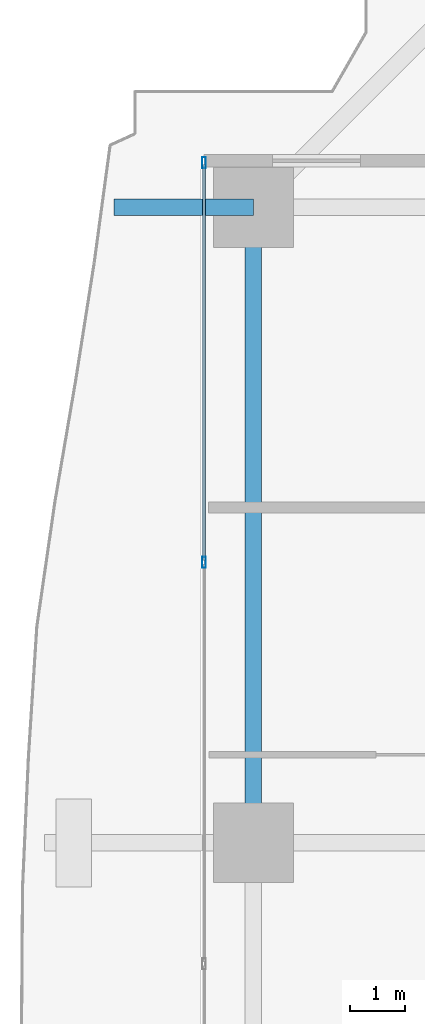
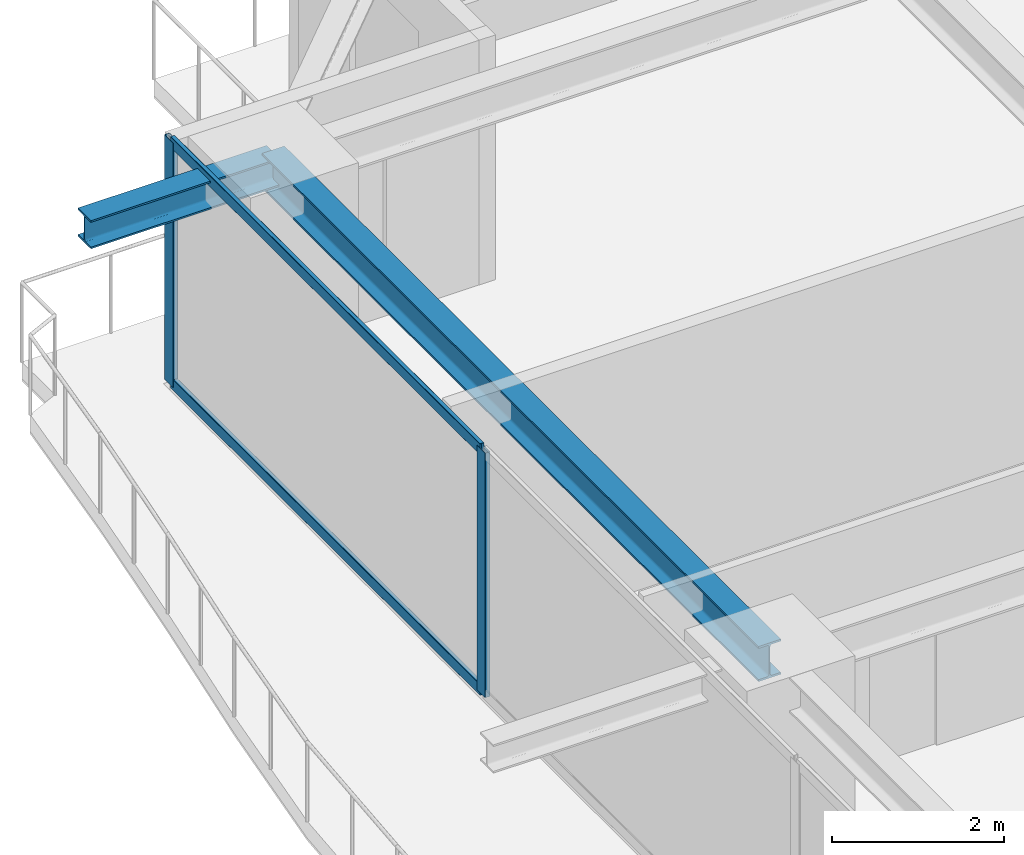
# One storey, part 15 of 36: 4 members, 2 beams, 1 element without a shape of its own.
"""IFC4 building model written with IfcOpenShell, lengths in metres."""

from ifc_helpers import new_model, si_unit, direction, frame, origin, origin_2d, place, context, subcontext, project, spatial, hollow_rectangle, i_section, extrude, source, transform, mapped, material, layer, layer_set, material_profile, profile_set, type_object, element, aggregate, save


model = new_model("IFC4")

# Units and contexts
model_context = context("Model", 3, precision=1e-05, world=origin(), true_north=direction((0.0, 1.0)))
body_context = subcontext(model_context, "Body", "Model", "MODEL_VIEW")
ifc_project = project(units=[si_unit("LENGTHUNIT", "METRE"), si_unit("AREAUNIT", "SQUARE_METRE"), si_unit("VOLUMEUNIT", "CUBIC_METRE"), si_unit("PLANEANGLEUNIT", "RADIAN"), si_unit("MASSUNIT", "GRAM", prefix="KILO")], contexts=[model_context])

# Site, building, storey
site_placement = place(None, origin())
site = spatial("IfcSite", under=ifc_project, at=site_placement, CompositionType="ELEMENT")
building_placement = place(site_placement, origin())
building = spatial("IfcBuilding", under=site, at=building_placement, Name="Serunith Strait Residences", CompositionType="ELEMENT")
storey_placement = place(building_placement, frame((0.0, 0.0, 86.699951171875)))
storey = spatial("IfcBuildingStorey", under=building, at=storey_placement, Name="L21", CompositionType="ELEMENT", Elevation=86.699951171875)

# Beams
ifc_material_1 = material(Name="Steel S355J2", Category="steel")
ifc_material_profile_1 = material_profile(ifc_material_1, i_section(OverallWidth=0.300048828125, OverallDepth=0.5, WebThickness=0.014404296875, FlangeThickness=0.028076171875, FilletRadius=0.027099609375, at=origin_2d()), Name="HEB 500")
ifc_profile_set_1 = profile_set([ifc_material_profile_1], Name="Steel S355J2")
beam_type_1 = type_object("IfcBeamType", Name="BM-HEB500", PredefinedType="BEAM", material=ifc_profile_set_1)
shared_shape_1 = source(origin(), body_context, "Body", "SweptSolid", [
    extrude(i_section(OverallWidth=0.300048828125, OverallDepth=0.5, WebThickness=0.014404296875, FlangeThickness=0.028076171875, FilletRadius=0.027099609375, at=origin_2d()), origin(), (0.0, 0.0, 1.0), 11.550048828125),
])
beam_1_placement = place(storey_placement, frame((6.89990234375, 40.949951171875, 3.237060546875), z_axis=(0.0, -1.0, 0.0), x_axis=(1.0, 0.0, 0.0)))
element("IfcBeam", 1, at=beam_1_placement, inside=storey, type_object=beam_type_1, Name="L21 Perimeter Ring Beam 13", PredefinedType="BEAM", context=body_context, shape_type="MappedRepresentation", body=[
    mapped(shared_shape_1, transform((0.0, 0.0, 0.0), scale=1.0)),
])
ifc_material_profile_2 = material_profile(ifc_material_1, i_section(OverallWidth=0.300048828125, OverallDepth=0.39990234375, WebThickness=0.013427734375, FlangeThickness=0.02392578125, FilletRadius=0.027099609375, at=origin_2d()), Name="HEB 400")
ifc_profile_set_2 = profile_set([ifc_material_profile_2], Name="Steel S355J2")
beam_type_2 = type_object("IfcBeamType", Name="BM-HEB400", PredefinedType="BEAM", material=ifc_profile_set_2)
shared_shape_2 = source(origin(), body_context, "Body", "SweptSolid", [
    extrude(i_section(OverallWidth=0.300048828125, OverallDepth=0.39990234375, WebThickness=0.013427734375, FlangeThickness=0.02392578125, FilletRadius=0.027099609375, at=origin_2d()), origin(), (0.0, 0.0, 1.0), 2.53662109375),
])
beam_2_placement = place(storey_placement, frame((6.89990234375, 40.949951171875, 3.257080078125), z_axis=(-1.0, 0.0, 0.0), x_axis=(0.0, -1.0, 0.0)))
element("IfcBeam", 2, at=beam_2_placement, inside=storey, type_object=beam_type_2, Name="L22 Cantilevered Balcony Rib TC-W4", PredefinedType="BEAM", context=body_context, shape_type="MappedRepresentation", body=[
    mapped(shared_shape_2, transform((0.0, 0.0, 0.0), scale=1.0)),
])

# Curtain wall, members
ifc_material_2 = material(Name="Pale-Champagne Anodised Aluminium", Category="aluminium")
ifc_layer = layer(ifc_material_2, 0.199951171875, Name="Pale-Champagne Anodised Aluminium")
ifc_layer_set = layer_set([ifc_layer], Name="Pale-Champagne Anodised Aluminium")
curtain_wall_type = type_object("IfcCurtainWallType", Name="CW-SYS1", PredefinedType="NOTDEFINED", material=ifc_layer_set)
curtain_wall_placement = place(storey_placement, origin())
curtain_wall = element("IfcCurtainWall", 3, at=curtain_wall_placement, inside=storey, type_object=curtain_wall_type, Name="L21 W Unitised Fritted Curtain Wall", PredefinedType="NOTDEFINED")
ifc_material_profile_3 = material_profile(ifc_material_2, hollow_rectangle(XDim=0.070068359375, YDim=0.199951171875, WallThickness=0.00390625, InnerFilletRadius=0.006103515625, OuterFilletRadius=0.010009765625, at=origin_2d()), Name="ALU 200x70x4")
ifc_profile_set_3 = profile_set([ifc_material_profile_3], Name="Pale-Champagne Anodised Aluminium")
member_type_1 = type_object("IfcMemberType", Name="CW-SYS1-MULL", PredefinedType="MULLION", material=ifc_profile_set_3)
shared_shape_3 = source(origin(), body_context, "Body", "SweptSolid", [
    extrude(hollow_rectangle(XDim=0.070068359375, YDim=0.199951171875, WallThickness=0.00390625, InnerFilletRadius=0.006103515625, OuterFilletRadius=0.010009765625, at=origin_2d()), origin(), (0.0, 0.0, 1.0), 3.47509765625),
])
member_1_placement = place(storey_placement, frame((6.0, 41.764892578125, 0.0), z_axis=(0.0, 0.0, 1.0), x_axis=(1.0, 0.0, 0.0)))
member_1 = element("IfcMember", 4, at=member_1_placement, type_object=member_type_1, Name="CW-1 mullion 1", PredefinedType="MULLION", context=body_context, shape_type="MappedRepresentation", body=[
    mapped(shared_shape_3, transform((0.0, 0.0, 0.0), scale=1.0)),
])
member_2_placement = place(storey_placement, frame((6.0, 34.5, 0.0), z_axis=(0.0, 0.0, 1.0), x_axis=(1.0, 0.0, 0.0)))
member_2 = element("IfcMember", 5, at=member_2_placement, type_object=member_type_1, Name="CW-1 mullion 2", PredefinedType="MULLION", context=body_context, shape_type="MappedRepresentation", body=[
    mapped(shared_shape_3, transform((0.0, 0.0, 0.0), scale=1.0)),
])
ifc_material_profile_4 = material_profile(ifc_material_2, hollow_rectangle(XDim=0.06005859375, YDim=0.159912109375, WallThickness=0.00341796875, InnerFilletRadius=0.00537109375, OuterFilletRadius=0.0087890625, at=origin_2d()), Name="ALU 160x60x3.5")
ifc_profile_set_4 = profile_set([ifc_material_profile_4], Name="Pale-Champagne Anodised Aluminium")
member_type_2 = type_object("IfcMemberType", Name="CW-SYS1-TRAN", PredefinedType="USERDEFINED", material=ifc_profile_set_4)
shared_shape_4 = source(origin(), body_context, "Body", "SweptSolid", [
    extrude(hollow_rectangle(XDim=0.06005859375, YDim=0.159912109375, WallThickness=0.00341796875, InnerFilletRadius=0.00537109375, OuterFilletRadius=0.0087890625, at=origin_2d()), origin(), (0.0, 0.0, 1.0), 7.195068359375),
])
member_3_placement = place(storey_placement, frame((6.0, 41.72998046875, 0.030029296875), z_axis=(0.0, -1.0, 0.0), x_axis=(1.0, 0.0, 0.0)))
member_3 = element("IfcMember", 6, at=member_3_placement, type_object=member_type_2, Name="CW-1 transom 1.1", ObjectType="TRANSOM", PredefinedType="USERDEFINED", context=body_context, shape_type="MappedRepresentation", body=[
    mapped(shared_shape_4, transform((0.0, 0.0, 0.0), scale=1.0)),
])
member_4_placement = place(storey_placement, frame((6.0, 41.72998046875, 3.445068359375), z_axis=(0.0, -1.0, 0.0), x_axis=(1.0, 0.0, 0.0)))
member_4 = element("IfcMember", 7, at=member_4_placement, type_object=member_type_2, Name="CW-1 transom 1.2", ObjectType="TRANSOM", PredefinedType="USERDEFINED", context=body_context, shape_type="MappedRepresentation", body=[
    mapped(shared_shape_4, transform((0.0, 0.0, 0.0), scale=1.0)),
])
aggregate(curtain_wall, [member_1, member_2, member_3, member_4])

save(model, "model.ifc")
